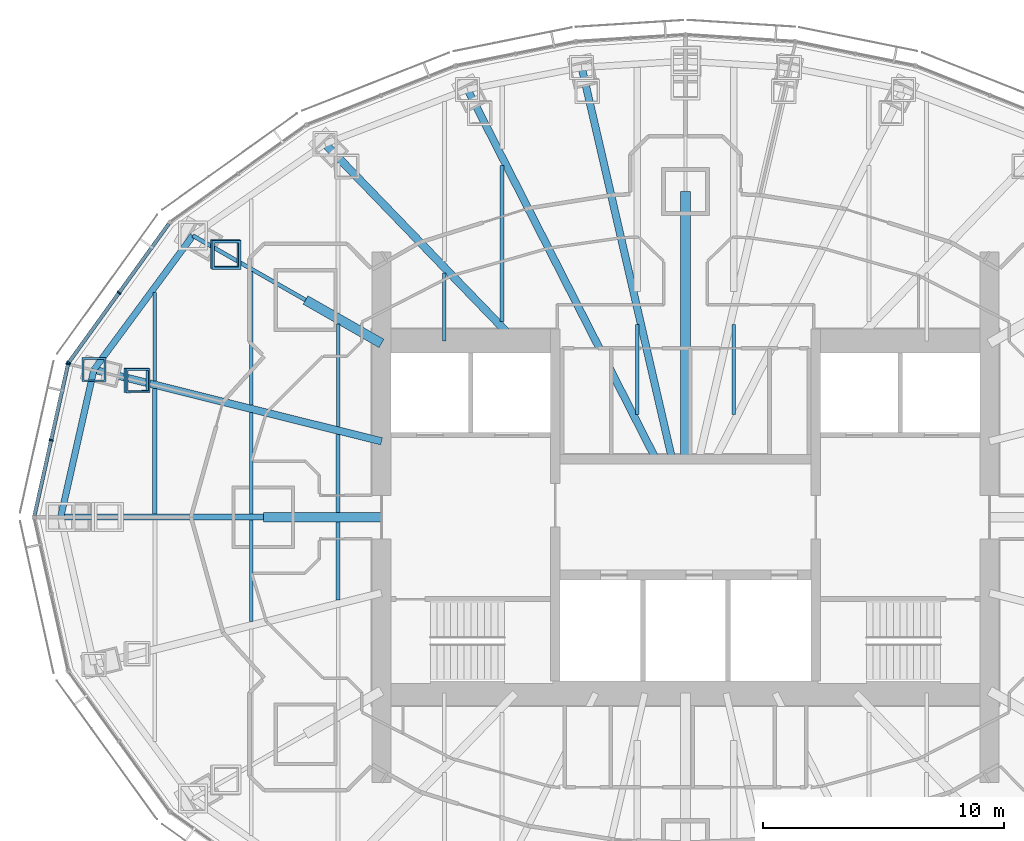
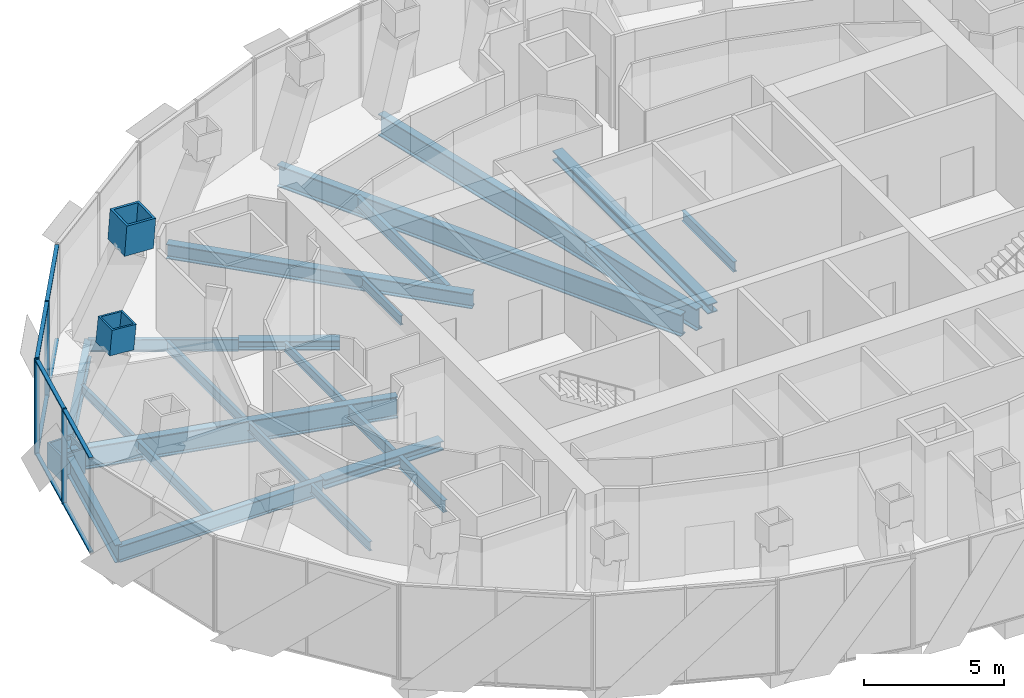
# One storey, part 4 of 18: 23 beams, 15 members, 2 elements without a shape of their own.
"""IFC4 building model written with IfcOpenShell, lengths in metres."""

from ifc_helpers import new_model, si_unit, direction, frame, origin, origin_2d, place, context, subcontext, project, spatial, rectangle, hollow_rectangle, i_section, extrude, material, material_profile, profile_set, type_object, element, aggregate, save


model = new_model("IFC4")

# Units and contexts
model_context = context("Model", 3, precision=1e-05, world=origin(), true_north=direction((0.0, 1.0)))
body_context = subcontext(model_context, "Body", "Model", "MODEL_VIEW")
ifc_project = project(units=[si_unit("LENGTHUNIT", "METRE"), si_unit("AREAUNIT", "SQUARE_METRE"), si_unit("VOLUMEUNIT", "CUBIC_METRE"), si_unit("PLANEANGLEUNIT", "RADIAN"), si_unit("MASSUNIT", "GRAM", prefix="KILO")], contexts=[model_context])

# Site, building, storey
site_placement = place(None, origin())
site = spatial("IfcSite", under=ifc_project, at=site_placement, CompositionType="ELEMENT")
building_placement = place(site_placement, origin())
building = spatial("IfcBuilding", under=site, at=building_placement, Name="Lantaw Convention Tower", CompositionType="ELEMENT")
storey_placement = place(building_placement, frame((0.0, 0.0, 266.199951171875)))
storey = spatial("IfcBuildingStorey", under=building, at=storey_placement, Name="L62", CompositionType="ELEMENT", Elevation=266.199951171875)

# Beams
ifc_material_1 = material(Name="Steel ASTM A992", Category="steel")
ifc_material_profile_1 = material_profile(ifc_material_1, i_section(OverallWidth=0.2666015625, OverallDepth=0.76953125, WebThickness=0.015625, FlangeThickness=0.025390625, FilletRadius=0.0126953125, at=origin_2d()), Name="W30X132")
ifc_profile_set_1 = profile_set([ifc_material_profile_1], Name="Steel ASTM A992")
beam_type_1 = type_object("IfcBeamType", Name="Beam E W30X132", PredefinedType="SPANDREL", material=ifc_profile_set_1)
beam_1_placement = place(storey_placement, frame((-20.423095703125, 11.67041015625, -0.53466796875), z_axis=(-0.593639188853, -0.804731329984, 0.0), x_axis=(0.804731329984, -0.593639188853, 0.0)))
element("IfcBeam", 1, at=beam_1_placement, inside=storey, type_object=beam_type_1, Name="Edge beam 11", PredefinedType="SPANDREL", context=body_context, shape_type="SweptSolid", body=[
    extrude(i_section(OverallWidth=0.2666015625, OverallDepth=0.76953125, WebThickness=0.015625, FlangeThickness=0.025390625, FilletRadius=0.0126953125, at=origin_2d()), origin(), (0.0, 0.0, 1.0), 6.904541015625),
])
beam_2_placement = place(storey_placement, frame((-24.52197265625, 6.114013671875, -0.53466796875), z_axis=(-0.219857926596, -0.97553190215, 0.0), x_axis=(0.97553190215, -0.219857926596, 0.0)))
element("IfcBeam", 2, at=beam_2_placement, inside=storey, type_object=beam_type_1, Name="Edge beam 12", PredefinedType="SPANDREL", context=body_context, shape_type="SweptSolid", body=[
    extrude(i_section(OverallWidth=0.2666015625, OverallDepth=0.76953125, WebThickness=0.015625, FlangeThickness=0.025390625, FilletRadius=0.0126953125, at=origin_2d()), origin(), (0.0, 0.0, 1.0), 6.267333984375),
])
ifc_material_profile_2 = material_profile(ifc_material_1, i_section(OverallWidth=0.1650390625, OverallDepth=0.52587890625, WebThickness=0.0087890625, FlangeThickness=0.011474609375, FilletRadius=0.0126953125, at=origin_2d()), Name="W21X44")
ifc_profile_set_2 = profile_set([ifc_material_profile_2], Name="Steel ASTM A992")
beam_type_2 = type_object("IfcBeamType", Name="Beam G W21X44", PredefinedType="BEAM", material=ifc_profile_set_2)
beam_3_placement = place(storey_placement, frame((-15.75, 9.0, -0.412841796875), z_axis=(-0.868237559289, 0.496148708192, 0.0), x_axis=(-0.496148708192, -0.868237559289, 0.0)))
element("IfcBeam", 3, at=beam_3_placement, inside=storey, type_object=beam_type_2, Name="Floor girder on ray 11", PredefinedType="BEAM", context=body_context, shape_type="SweptSolid", body=[
    extrude(i_section(OverallWidth=0.1650390625, OverallDepth=0.52587890625, WebThickness=0.0087890625, FlangeThickness=0.011474609375, FilletRadius=0.0126953125, at=origin_2d()), origin(), (0.0, 0.0, 1.0), 5.38232421875),
])
ifc_material_profile_3 = material_profile(ifc_material_1, i_section(OverallWidth=0.32763671875, OverallDepth=0.64013671875, WebThickness=0.01904296875, FlangeThickness=0.033935546875, FilletRadius=0.0126953125, at=origin_2d()), Name="W24X176")
ifc_profile_set_3 = profile_set([ifc_material_profile_3], Name="Steel ASTM A992")
beam_type_3 = type_object("IfcBeamType", Name="Beam G W24X176", PredefinedType="BEAM", material=ifc_profile_set_3)
beam_4_placement = place(storey_placement, frame((-7.049560546875, 7.300048828125, -0.469970703125), z_axis=(-0.694657766726, 0.719340383356, 0.0), x_axis=(-0.719340383356, -0.694657766726, 0.0)))
element("IfcBeam", 4, at=beam_4_placement, inside=storey, type_object=beam_type_3, Name="Floor girder on ray 10", PredefinedType="BEAM", context=body_context, shape_type="SweptSolid", body=[
    extrude(i_section(OverallWidth=0.32763671875, OverallDepth=0.64013671875, WebThickness=0.01904296875, FlangeThickness=0.033935546875, FilletRadius=0.0126953125, at=origin_2d()), origin(), (0.0, 0.0, 1.0), 11.364990234375),
])
ifc_material_profile_4 = material_profile(ifc_material_1, i_section(OverallWidth=0.25390625, OverallDepth=0.700927734375, WebThickness=0.015380859375, FlangeThickness=0.02783203125, FilletRadius=0.01513671875, at=origin_2d()), Name="W27X129")
ifc_profile_set_4 = profile_set([ifc_material_profile_4], Name="Steel ASTM A992")
beam_type_4 = type_object("IfcBeamType", Name="Beam G W27X129", PredefinedType="BEAM", material=ifc_profile_set_4)
beam_5_placement = place(storey_placement, frame((-17.5, 0.0, -0.50048828125), z_axis=(-1.0, 0.0, 0.0), x_axis=(0.0, -1.0, 0.0)))
element("IfcBeam", 5, at=beam_5_placement, inside=storey, type_object=beam_type_4, Name="Floor girder on ray 13", PredefinedType="BEAM", context=body_context, shape_type="SweptSolid", body=[
    extrude(i_section(OverallWidth=0.25390625, OverallDepth=0.700927734375, WebThickness=0.015380859375, FlangeThickness=0.02783203125, FilletRadius=0.01513671875, at=origin_2d()), origin(), (0.0, 0.0, 1.0), 8.39990234375),
])
ifc_material_profile_5 = material_profile(ifc_material_1, i_section(OverallWidth=0.307373046875, OverallDepth=0.9423828125, WebThickness=0.022216796875, FlangeThickness=0.039794921875, FilletRadius=0.0126953125, at=origin_2d()), Name="W36X232")
ifc_profile_set_5 = profile_set([ifc_material_profile_5], Name="Steel ASTM A992")
beam_type_5 = type_object("IfcBeamType", Name="Beam G W36X232", PredefinedType="BEAM", material=ifc_profile_set_5)
beam_6_placement = place(storey_placement, frame((-0.55419921875, 2.39990234375, -0.62109375), z_axis=(-0.224948287002, 0.974370703672, 0.0), x_axis=(-0.974370703672, -0.224948287002, 0.0)))
element("IfcBeam", 6, at=beam_6_placement, inside=storey, type_object=beam_type_5, Name="Floor girder on ray 8", PredefinedType="BEAM", context=body_context, shape_type="SweptSolid", body=[
    extrude(i_section(OverallWidth=0.307373046875, OverallDepth=0.9423828125, WebThickness=0.022216796875, FlangeThickness=0.039794921875, FilletRadius=0.0126953125, at=origin_2d()), origin(), (0.0, 0.0, 1.0), 16.66943359375),
])
beam_7_placement = place(storey_placement, frame((-1.222900390625, 2.39990234375, -0.62109375), z_axis=(-0.453988481463, 0.891007552549, 0.0), x_axis=(-0.891007552549, -0.453988481463, 0.0)))
element("IfcBeam", 7, at=beam_7_placement, inside=storey, type_object=beam_type_5, Name="Floor girder on ray 9", PredefinedType="BEAM", context=body_context, shape_type="SweptSolid", body=[
    extrude(i_section(OverallWidth=0.307373046875, OverallDepth=0.9423828125, WebThickness=0.022216796875, FlangeThickness=0.039794921875, FilletRadius=0.0126953125, at=origin_2d()), origin(), (0.0, 0.0, 1.0), 17.20703125),
])
beam_8_placement = place(storey_placement, frame((-12.60009765625, 3.1416015625, -0.62109375), z_axis=(-0.970296589314, 0.241918434119, 0.0), x_axis=(-0.241918434119, -0.970296589314, 0.0)))
element("IfcBeam", 8, at=beam_8_placement, inside=storey, type_object=beam_type_5, Name="Floor girder on ray 12", PredefinedType="BEAM", context=body_context, shape_type="SweptSolid", body=[
    extrude(i_section(OverallWidth=0.307373046875, OverallDepth=0.9423828125, WebThickness=0.022216796875, FlangeThickness=0.039794921875, FilletRadius=0.0126953125, at=origin_2d()), origin(), (0.0, 0.0, 1.0), 12.286865234375),
])
ifc_material_profile_6 = material_profile(ifc_material_1, i_section(OverallWidth=0.40380859375, OverallDepth=0.406494140625, WebThickness=0.027099609375, FlangeThickness=0.043701171875, FilletRadius=0.01513671875, at=origin_2d()), Name="W14X233")
ifc_profile_set_6 = profile_set([ifc_material_profile_6], Name="Steel ASTM A992")
beam_type_6 = type_object("IfcBeamType", Name="Beam GM W14X233", PredefinedType="BEAM", material=ifc_profile_set_6)
beam_9_placement = place(storey_placement, frame((0.0, 2.39990234375, -0.353271484375), z_axis=(0.0, 1.0, 0.0), x_axis=(-1.0, 0.0, 0.0)))
element("IfcBeam", 9, at=beam_9_placement, inside=storey, type_object=beam_type_6, Name="Core link beam on ray 7", PredefinedType="BEAM", context=body_context, shape_type="SweptSolid", body=[
    extrude(i_section(OverallWidth=0.40380859375, OverallDepth=0.406494140625, WebThickness=0.027099609375, FlangeThickness=0.043701171875, FilletRadius=0.01513671875, at=origin_2d()), origin(), (0.0, 0.0, 1.0), 11.10009765625),
])
beam_10_placement = place(storey_placement, frame((-12.60009765625, 7.199951171875, -0.353271484375), z_axis=(-0.868230718294, 0.496160679428, 0.0), x_axis=(-0.496160679428, -0.868230718294, 0.0)))
element("IfcBeam", 10, at=beam_10_placement, inside=storey, type_object=beam_type_6, Name="Core link beam on ray 11", PredefinedType="BEAM", context=body_context, shape_type="SweptSolid", body=[
    extrude(i_section(OverallWidth=0.40380859375, OverallDepth=0.406494140625, WebThickness=0.027099609375, FlangeThickness=0.043701171875, FilletRadius=0.01513671875, at=origin_2d()), origin(), (0.0, 0.0, 1.0), 3.6279296875),
])
beam_11_placement = place(storey_placement, frame((-12.60009765625, 0.0, -0.353271484375), z_axis=(-1.0, 0.0, 0.0), x_axis=(0.0, -1.0, 0.0)))
element("IfcBeam", 11, at=beam_11_placement, inside=storey, type_object=beam_type_6, Name="Core link beam on ray 13", PredefinedType="BEAM", context=body_context, shape_type="SweptSolid", body=[
    extrude(i_section(OverallWidth=0.40380859375, OverallDepth=0.406494140625, WebThickness=0.027099609375, FlangeThickness=0.043701171875, FilletRadius=0.01513671875, at=origin_2d()), origin(), (0.0, 0.0, 1.0), 4.89990234375),
])
ifc_material_profile_7 = material_profile(ifc_material_1, i_section(OverallWidth=0.140380859375, OverallDepth=0.40380859375, WebThickness=0.007080078125, FlangeThickness=0.01123046875, FilletRadius=0.01025390625, at=origin_2d()), Name="W16X31")
ifc_profile_set_7 = profile_set([ifc_material_profile_7], Name="Steel ASTM A992")
beam_type_7 = type_object("IfcBeamType", Name="Beam J W16X31", PredefinedType="JOIST", material=ifc_profile_set_7)
beam_12_placement = place(storey_placement, frame((-22.0, 5.6435546875, -0.351806640625), z_axis=(0.0, 1.0, 0.0), x_axis=(-1.0, 0.0, 0.0)))
element("IfcBeam", 12, at=beam_12_placement, inside=storey, type_object=beam_type_7, Name="Floor joist", PredefinedType="JOIST", context=body_context, shape_type="SweptSolid", body=[
    extrude(i_section(OverallWidth=0.140380859375, OverallDepth=0.40380859375, WebThickness=0.007080078125, FlangeThickness=0.01123046875, FilletRadius=0.01025390625, at=origin_2d()), origin(), (0.0, 0.0, 1.0), 3.66455078125),
])
for number, where, z_axis, x_axis, name in (
    (13, (-18.0, -4.32958984375, -0.351806640625), (0.0, 1.0, 0.0), (-1.0, 0.0, 0.0), "Floor joist"),
    (14, (-18.0, 0.126953125, -0.351806640625), (0.0, 1.0, 0.0), (-1.0, 0.0, 0.0), "Floor joist"),
):
    element("IfcBeam", number, at=place(storey_placement, frame(where, z_axis=z_axis, x_axis=x_axis)), inside=storey, type_object=beam_type_7, Name=name, PredefinedType="JOIST", context=body_context, shape_type="SweptSolid", body=[
        extrude(i_section(OverallWidth=0.140380859375, OverallDepth=0.40380859375, WebThickness=0.007080078125, FlangeThickness=0.01123046875, FilletRadius=0.01025390625, at=origin_2d()), origin(), (0.0, 0.0, 1.0), 4.20263671875),
    ])
beam_13_placement = place(storey_placement, frame((-14.39990234375, 3.748779296875, -0.351806640625), z_axis=(0.0, 1.0, 0.0), x_axis=(-1.0, 0.0, 0.0)))
element("IfcBeam", 15, at=beam_13_placement, inside=storey, type_object=beam_type_7, Name="Floor joist", PredefinedType="JOIST", context=body_context, shape_type="SweptSolid", body=[
    extrude(i_section(OverallWidth=0.140380859375, OverallDepth=0.40380859375, WebThickness=0.007080078125, FlangeThickness=0.01123046875, FilletRadius=0.01025390625, at=origin_2d()), origin(), (0.0, 0.0, 1.0), 4.247314453125),
])
beam_14_placement = place(storey_placement, frame((-10.0, 7.300048828125, -0.351806640625), z_axis=(0.0, 1.0, 0.0), x_axis=(-1.0, 0.0, 0.0)))
element("IfcBeam", 16, at=beam_14_placement, inside=storey, type_object=beam_type_7, Name="Floor joist", PredefinedType="JOIST", context=body_context, shape_type="SweptSolid", body=[
    extrude(i_section(OverallWidth=0.140380859375, OverallDepth=0.40380859375, WebThickness=0.007080078125, FlangeThickness=0.01123046875, FilletRadius=0.01025390625, at=origin_2d()), origin(), (0.0, 0.0, 1.0), 2.8193359375),
])
ifc_material_profile_8 = material_profile(ifc_material_1, i_section(OverallWidth=0.15234375, OverallDepth=0.449462890625, WebThickness=0.007568359375, FlangeThickness=0.0107421875, FilletRadius=0.01025390625, at=origin_2d()), Name="W18X35")
ifc_profile_set_8 = profile_set([ifc_material_profile_8], Name="Steel ASTM A992")
beam_type_8 = type_object("IfcBeamType", Name="Beam J W18X35", PredefinedType="JOIST", material=ifc_profile_set_8)
beam_15_placement = place(storey_placement, frame((-18.0, 4.646240234375, -0.374755859375), z_axis=(0.0, 1.0, 0.0), x_axis=(-1.0, 0.0, 0.0)))
element("IfcBeam", 17, at=beam_15_placement, inside=storey, type_object=beam_type_8, Name="Floor joist", PredefinedType="JOIST", context=body_context, shape_type="SweptSolid", body=[
    extrude(i_section(OverallWidth=0.15234375, OverallDepth=0.449462890625, WebThickness=0.007568359375, FlangeThickness=0.0107421875, FilletRadius=0.01025390625, at=origin_2d()), origin(), (0.0, 0.0, 1.0), 5.54443359375),
])
for number, where, z_axis, x_axis, name in (
    (18, (-2.0, 4.263671875, -0.374755859375), (0.0, 1.0, 0.0), (-1.0, 0.0, 0.0), "Floor joist"),
    (19, (2.0, 4.263671875, -0.374755859375), (0.0, 1.0, 0.0), (-1.0, 0.0, 0.0), "Floor joist"),
):
    element("IfcBeam", number, at=place(storey_placement, frame(where, z_axis=z_axis, x_axis=x_axis)), inside=storey, type_object=beam_type_8, Name=name, PredefinedType="JOIST", context=body_context, shape_type="SweptSolid", body=[
        extrude(i_section(OverallWidth=0.15234375, OverallDepth=0.449462890625, WebThickness=0.007568359375, FlangeThickness=0.0107421875, FilletRadius=0.01025390625, at=origin_2d()), origin(), (0.0, 0.0, 1.0), 3.716064453125),
    ])
ifc_material_profile_9 = material_profile(ifc_material_1, i_section(OverallWidth=0.1904296875, OverallDepth=0.457275390625, WebThickness=0.009033203125, FlangeThickness=0.014404296875, FilletRadius=0.01025390625, at=origin_2d()), Name="W18X50")
ifc_profile_set_9 = profile_set([ifc_material_profile_9], Name="Steel ASTM A992")
beam_type_9 = type_object("IfcBeamType", Name="Beam J W18X50", PredefinedType="JOIST", material=ifc_profile_set_9)
beam_16_placement = place(storey_placement, frame((-22.0, 0.126953125, -0.378662109375), z_axis=(0.0, 1.0, 0.0), x_axis=(-1.0, 0.0, 0.0)))
element("IfcBeam", 20, at=beam_16_placement, inside=storey, type_object=beam_type_9, Name="Floor joist", PredefinedType="JOIST", context=body_context, shape_type="SweptSolid", body=[
    extrude(i_section(OverallWidth=0.1904296875, OverallDepth=0.457275390625, WebThickness=0.009033203125, FlangeThickness=0.014404296875, FilletRadius=0.01025390625, at=origin_2d()), origin(), (0.0, 0.0, 1.0), 5.199951171875),
])
ifc_material_profile_10 = material_profile(ifc_material_1, i_section(OverallWidth=0.1650390625, OverallDepth=0.52587890625, WebThickness=0.0087890625, FlangeThickness=0.011474609375, FilletRadius=0.0126953125, at=origin_2d()), Name="W21X44")
ifc_profile_set_10 = profile_set([ifc_material_profile_10], Name="Steel ASTM A992")
beam_type_10 = type_object("IfcBeamType", Name="Beam J W21X44", PredefinedType="JOIST", material=ifc_profile_set_10)
for number, where, z_axis, x_axis, name in (
    (21, (-14.39990234375, -3.431884765625, -0.412841796875), (0.0, 1.0, 0.0), (-1.0, 0.0, 0.0), "Floor joist"),
    (22, (-14.39990234375, 0.201904296875, -0.412841796875), (0.0, 1.0, 0.0), (-1.0, 0.0, 0.0), "Floor joist"),
):
    element("IfcBeam", number, at=place(storey_placement, frame(where, z_axis=z_axis, x_axis=x_axis)), inside=storey, type_object=beam_type_10, Name=name, PredefinedType="JOIST", context=body_context, shape_type="SweptSolid", body=[
        extrude(i_section(OverallWidth=0.1650390625, OverallDepth=0.52587890625, WebThickness=0.0087890625, FlangeThickness=0.011474609375, FilletRadius=0.0126953125, at=origin_2d()), origin(), (0.0, 0.0, 1.0), 3.22998046875),
    ])
beam_17_placement = place(storey_placement, frame((-7.60009765625, 8.10595703125, -0.412841796875), z_axis=(0.0, 1.0, 0.0), x_axis=(-1.0, 0.0, 0.0)))
element("IfcBeam", 23, at=beam_17_placement, inside=storey, type_object=beam_type_10, Name="Floor joist", PredefinedType="JOIST", context=body_context, shape_type="SweptSolid", body=[
    extrude(i_section(OverallWidth=0.1650390625, OverallDepth=0.52587890625, WebThickness=0.0087890625, FlangeThickness=0.011474609375, FilletRadius=0.0126953125, at=origin_2d()), origin(), (0.0, 0.0, 1.0), 6.471435546875),
])

# Curtain wall, members
ifc_material_2 = material(Name="Aluminium framed curtain wall", Category="aluminium")
curtain_wall_type = type_object("IfcCurtainWallType", Name="Office curtain wall high rise, pale aluminium", PredefinedType="USERDEFINED", material=ifc_material_2)
curtain_wall_1_placement = place(storey_placement, origin())
curtain_wall_1 = element("IfcCurtainWall", 24, at=curtain_wall_1_placement, inside=storey, type_object=curtain_wall_type, Name="Office curtain wall high rise, pale aluminium L62", ObjectType="UNITISED CURTAIN WALL", PredefinedType="USERDEFINED")
ifc_material_3 = material(Name="Aluminium 6063-T6", Category="aluminium")
ifc_material_profile_11 = material_profile(ifc_material_3, rectangle(XDim=0.179931640625, YDim=0.06494140625, at=origin_2d()), Name="CW-O2 mullion 65x180")
ifc_profile_set_11 = profile_set([ifc_material_profile_11], Name="Aluminium 6063-T6")
member_type_1 = type_object("IfcMemberType", Name="CW-O2 mullion 65x180", PredefinedType="MULLION", material=ifc_profile_set_11)
member_1_placement = place(storey_placement, frame((-23.483642578125, 9.298095703125, -0.14990234375), z_axis=(0.0, 0.0, 1.0), x_axis=(0.810919559405, -0.585157643865, 0.0)))
member_1 = element("IfcMember", 25, at=member_1_placement, type_object=member_type_1, Name="CW-O2 mullion 2", PredefinedType="MULLION", context=body_context, shape_type="SweptSolid", body=[
    extrude(rectangle(XDim=0.179931640625, YDim=0.06494140625, at=origin_2d()), origin(), (0.0, 0.0, 1.0), 4.14990234375),
])
member_2_placement = place(storey_placement, frame((-25.5703125, 6.406494140625, -0.14990234375), z_axis=(0.0, 0.0, 1.0), x_axis=(0.810919559405, -0.585157643865, 0.0)))
member_2 = element("IfcMember", 26, at=member_2_placement, type_object=member_type_1, Name="CW-O2 mullion 3", PredefinedType="MULLION", context=body_context, shape_type="SweptSolid", body=[
    extrude(rectangle(XDim=0.179931640625, YDim=0.06494140625, at=origin_2d()), origin(), (0.0, 0.0, 1.0), 4.14990234375),
])

curtain_wall_2_placement = place(storey_placement, origin())
curtain_wall_2 = element("IfcCurtainWall", 27, at=curtain_wall_2_placement, inside=storey, type_object=curtain_wall_type, Name="Office curtain wall high rise, pale aluminium L62", ObjectType="UNITISED CURTAIN WALL", PredefinedType="USERDEFINED")
member_3_placement = place(storey_placement, frame((-25.596435546875, 6.348388671875, -0.14990234375), z_axis=(0.0, 0.0, 1.0), x_axis=(0.976417396437, -0.215891333626, 0.0)))
member_3 = element("IfcMember", 28, at=member_3_placement, type_object=member_type_1, Name="CW-O2 mullion 1", PredefinedType="MULLION", context=body_context, shape_type="SweptSolid", body=[
    extrude(rectangle(XDim=0.179931640625, YDim=0.06494140625, at=origin_2d()), origin(), (0.0, 0.0, 1.0), 4.14990234375),
])
member_4_placement = place(storey_placement, frame((-26.294677734375, 3.190185546875, -0.14990234375), z_axis=(0.0, 0.0, 1.0), x_axis=(0.976417396437, -0.215891333626, 0.0)))
member_4 = element("IfcMember", 29, at=member_4_placement, type_object=member_type_1, Name="CW-O2 mullion 2", PredefinedType="MULLION", context=body_context, shape_type="SweptSolid", body=[
    extrude(rectangle(XDim=0.179931640625, YDim=0.06494140625, at=origin_2d()), origin(), (0.0, 0.0, 1.0), 4.14990234375),
])

# Member
ifc_material_profile_12 = material_profile(ifc_material_3, rectangle(XDim=0.14990234375, YDim=0.06494140625, at=origin_2d()), Name="CW-O2 transom 65x150")
ifc_profile_set_12 = profile_set([ifc_material_profile_12], Name="Aluminium 6063-T6")
member_type_2 = type_object("IfcMemberType", Name="CW-O2 transom 65x150", PredefinedType="USERDEFINED", material=ifc_profile_set_12)
member_5_placement = place(storey_placement, frame((-21.416259765625, 12.163330078125, -0.117431640625), z_axis=(-0.585123825205, -0.810943961798, 0.0), x_axis=(0.810943961798, -0.585123825205, 0.0)))
member_5 = element("IfcMember", 30, at=member_5_placement, type_object=member_type_2, Name="CW-O2 transom 1.1", ObjectType="TRANSOM", PredefinedType="USERDEFINED", context=body_context, shape_type="SweptSolid", body=[
    extrude(rectangle(XDim=0.14990234375, YDim=0.06494140625, at=origin_2d()), origin(), (0.0, 0.0, 1.0), 3.500732421875),
])

member_6_placement = place(storey_placement, frame((-21.416259765625, 12.163330078125, 3.967529296875), z_axis=(-0.585123825205, -0.810943961798, 0.0), x_axis=(0.810943961798, -0.585123825205, 0.0)))
member_6 = element("IfcMember", 31, at=member_6_placement, type_object=member_type_2, Name="CW-O2 transom 1.2", ObjectType="TRANSOM", PredefinedType="USERDEFINED", context=body_context, shape_type="SweptSolid", body=[
    extrude(rectangle(XDim=0.14990234375, YDim=0.06494140625, at=origin_2d()), origin(), (0.0, 0.0, 1.0), 3.500732421875),
])

member_7_placement = place(storey_placement, frame((-23.502685546875, 9.271728515625, -0.117431640625), z_axis=(-0.585169685931, -0.810910869743, 0.0), x_axis=(0.810910869743, -0.585169685931, 0.0)))
member_7 = element("IfcMember", 32, at=member_7_placement, type_object=member_type_2, Name="CW-O2 transom 2.1", ObjectType="TRANSOM", PredefinedType="USERDEFINED", context=body_context, shape_type="SweptSolid", body=[
    extrude(rectangle(XDim=0.14990234375, YDim=0.06494140625, at=origin_2d()), origin(), (0.0, 0.0, 1.0), 3.500732421875),
])

member_8_placement = place(storey_placement, frame((-23.502685546875, 9.271728515625, 3.967529296875), z_axis=(-0.585169685931, -0.810910869743, 0.0), x_axis=(0.810910869743, -0.585169685931, 0.0)))
member_8 = element("IfcMember", 33, at=member_8_placement, type_object=member_type_2, Name="CW-O2 transom 2.2", ObjectType="TRANSOM", PredefinedType="USERDEFINED", context=body_context, shape_type="SweptSolid", body=[
    extrude(rectangle(XDim=0.14990234375, YDim=0.06494140625, at=origin_2d()), origin(), (0.0, 0.0, 1.0), 3.500732421875),
])

aggregate(curtain_wall_1, [member_1, member_2, member_5, member_6, member_7, member_8])

member_9_placement = place(storey_placement, frame((-25.603271484375, 6.316650390625, -0.117431640625), z_axis=(-0.215894607042, -0.976416672661, 0.0), x_axis=(0.976416672661, -0.215894607042, 0.0)))
member_9 = element("IfcMember", 34, at=member_9_placement, type_object=member_type_2, Name="CW-O2 transom 1.1", ObjectType="TRANSOM", PredefinedType="USERDEFINED", context=body_context, shape_type="SweptSolid", body=[
    extrude(rectangle(XDim=0.14990234375, YDim=0.06494140625, at=origin_2d()), origin(), (0.0, 0.0, 1.0), 3.169677734375),
])

member_10_placement = place(storey_placement, frame((-25.603271484375, 6.316650390625, 3.967529296875), z_axis=(-0.215894607042, -0.976416672661, 0.0), x_axis=(0.976416672661, -0.215894607042, 0.0)))
member_10 = element("IfcMember", 35, at=member_10_placement, type_object=member_type_2, Name="CW-O2 transom 1.2", ObjectType="TRANSOM", PredefinedType="USERDEFINED", context=body_context, shape_type="SweptSolid", body=[
    extrude(rectangle(XDim=0.14990234375, YDim=0.06494140625, at=origin_2d()), origin(), (0.0, 0.0, 1.0), 3.169677734375),
])

member_11_placement = place(storey_placement, frame((-26.3017578125, 3.158447265625, -0.117431640625), z_axis=(-0.215894607042, -0.976416672661, 0.0), x_axis=(0.976416672661, -0.215894607042, 0.0)))
member_11 = element("IfcMember", 36, at=member_11_placement, type_object=member_type_2, Name="CW-O2 transom 2.1", ObjectType="TRANSOM", PredefinedType="USERDEFINED", context=body_context, shape_type="SweptSolid", body=[
    extrude(rectangle(XDim=0.14990234375, YDim=0.06494140625, at=origin_2d()), origin(), (0.0, 0.0, 1.0), 3.169677734375),
])

member_12_placement = place(storey_placement, frame((-26.3017578125, 3.158447265625, 3.967529296875), z_axis=(-0.215894607042, -0.976416672661, 0.0), x_axis=(0.976416672661, -0.215894607042, 0.0)))
member_12 = element("IfcMember", 37, at=member_12_placement, type_object=member_type_2, Name="CW-O2 transom 2.2", ObjectType="TRANSOM", PredefinedType="USERDEFINED", context=body_context, shape_type="SweptSolid", body=[
    extrude(rectangle(XDim=0.14990234375, YDim=0.06494140625, at=origin_2d()), origin(), (0.0, 0.0, 1.0), 3.169677734375),
])

aggregate(curtain_wall_2, [member_3, member_4, member_9, member_10, member_11, member_12])

# Members
ifc_material_4 = material(Name="Cast steel ASTM A148 Grade 80-50", Category="steel")
ifc_material_profile_13 = material_profile(ifc_material_4, hollow_rectangle(XDim=1.0, YDim=1.0, WallThickness=0.080078125, at=origin_2d()), Name="BOX1000X80")
ifc_profile_set_13 = profile_set([ifc_material_profile_13], Name="Cast steel ASTM A148 Grade 80-50")
member_type_3 = type_object("IfcMemberType", Name="Member CN BOX1000X80", PredefinedType="USERDEFINED", material=ifc_profile_set_13)
member_13_placement = place(storey_placement, frame((-24.52197265625, 6.114013671875, -1.099853515625), z_axis=(0.0, 0.0, 1.0), x_axis=(1.0, 0.0, 0.0)))
element("IfcMember", 38, at=member_13_placement, inside=storey, type_object=member_type_3, Name="Cast steel column node", ObjectType="COLUMN NODE", PredefinedType="USERDEFINED", context=body_context, shape_type="SweptSolid", body=[
    extrude(hollow_rectangle(XDim=1.0, YDim=1.0, WallThickness=0.080078125, at=origin_2d()), origin(), (0.0, 0.0, 1.0), 1.099853515625),
])
member_14_placement = place(storey_placement, frame((-22.778076171875, 5.67919921875, 3.99169921875), z_axis=(0.082478910329, -0.020564446811, 0.996380616471), x_axis=(0.996592810197, 0.001698130126, -0.082461427453)))
element("IfcMember", 39, at=member_14_placement, inside=storey, type_object=member_type_3, Name="Cast steel column node", ObjectType="COLUMN NODE", PredefinedType="USERDEFINED", context=body_context, shape_type="SweptSolid", body=[
    extrude(hollow_rectangle(XDim=1.0, YDim=1.0, WallThickness=0.080078125, at=origin_2d()), origin(), (0.0, 0.0, 1.0), 1.10400390625),
])
ifc_material_profile_14 = material_profile(ifc_material_4, hollow_rectangle(XDim=1.199951171875, YDim=1.199951171875, WallThickness=0.10009765625, at=origin_2d()), Name="BOX1200X100")
ifc_profile_set_14 = profile_set([ifc_material_profile_14], Name="Cast steel ASTM A148 Grade 80-50")
member_type_4 = type_object("IfcMemberType", Name="Member CN BOX1200X100", PredefinedType="USERDEFINED", material=ifc_profile_set_14)
member_15_placement = place(storey_placement, frame((-19.09912109375, 10.913818359375, 3.982421875), z_axis=(0.05463540276, -0.031193861711, 0.998018995689), x_axis=(0.998506304654, 0.002070978644, -0.054597349877)))
element("IfcMember", 40, at=member_15_placement, inside=storey, type_object=member_type_4, Name="Cast steel column node", ObjectType="COLUMN NODE", PredefinedType="USERDEFINED", context=body_context, shape_type="SweptSolid", body=[
    extrude(hollow_rectangle(XDim=1.199951171875, YDim=1.199951171875, WallThickness=0.10009765625, at=origin_2d()), origin(), (0.0, 0.0, 1.0), 1.32275390625),
])

save(model, "model.ifc")
